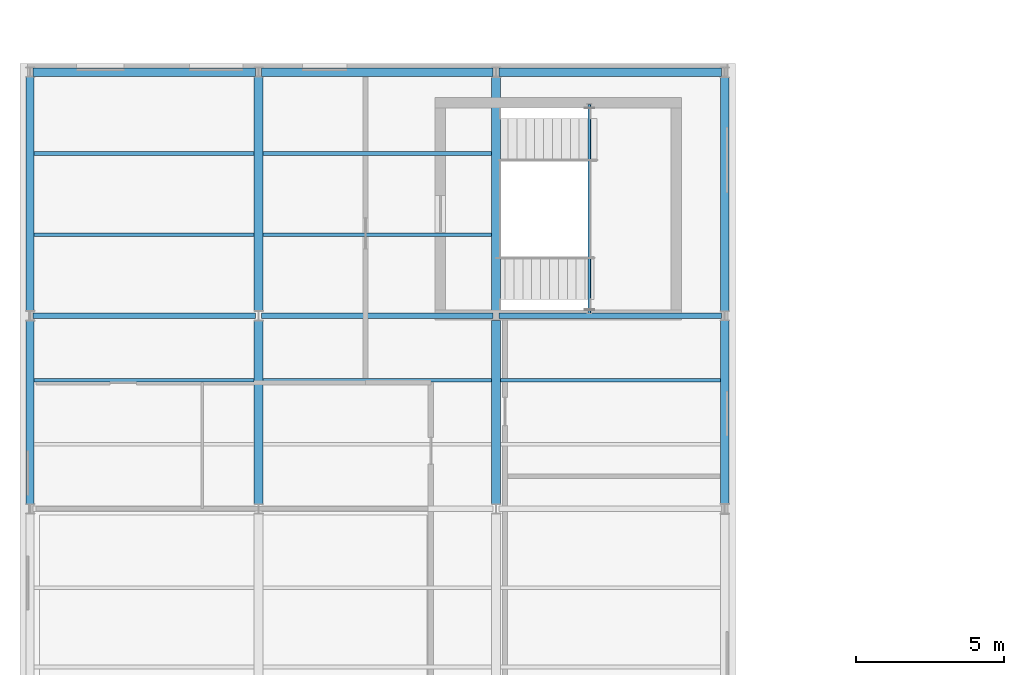
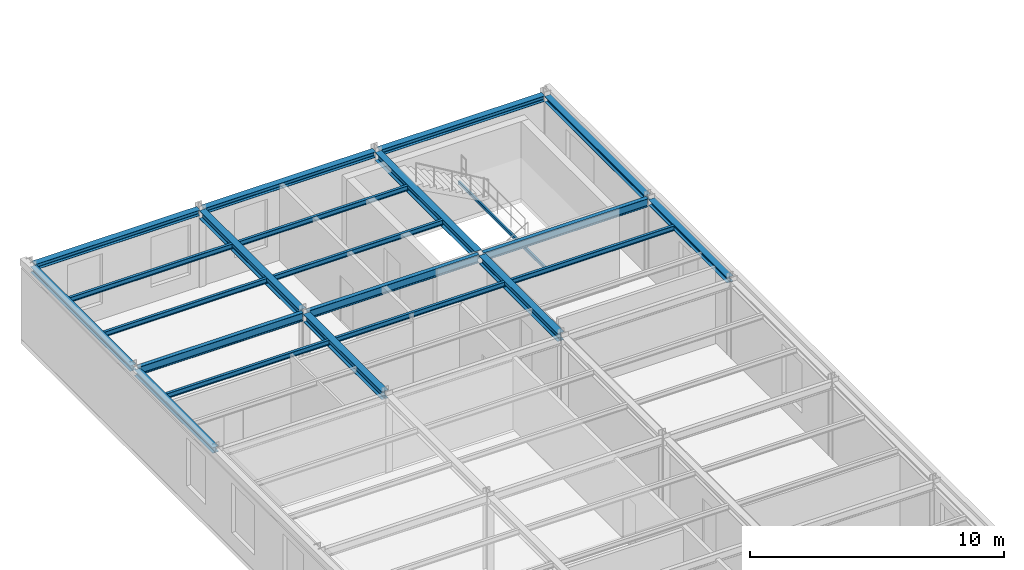
# One storey, part 15 of 41: 21 beams, 1 member.
"""IFC4 building model written with IfcOpenShell, lengths in metres."""

import ifcopenshell
import ifcopenshell.guid

model = None  # the IFC model being written
_history = None  # IfcOwnerHistory: only IFC2X3 demands one
_inside = {}  # id of a spatial element -> (the spatial element, [elements in it])
_under = {}  # id of a project, library or spatial element -> (it, [spatial elements below it])
_declared = {}  # id of a project -> (the project, [libraries it declares])
_typed = {}  # id of a type object -> (the type object, [elements of that type])
_made_of = {}  # id of a material, layer set ... -> (it, [elements and type objects made of it])


def new_model(schema):
    """Start an empty IFC model of exactly this schema.

    Asked for "IFC4X3", IfcOpenShell would pick the latest addendum, in which some entities
    have other attributes; the version numbers below select the first issue.
    IFC2X3 requires an IfcOwnerHistory on every rooted entity: one is made here for all.
    """
    global model, _history
    if schema == "IFC4X3":
        model = ifcopenshell.file(schema_version=(4, 3, 0, 0))
    else:
        model = ifcopenshell.file(schema=schema)
    _inside.clear()
    _under.clear()
    _declared.clear()
    _typed.clear()
    _made_of.clear()
    _history = None
    if model.schema == "IFC2X3":
        org = make("IfcOrganization", Name="unknown")
        user = make(
            "IfcPersonAndOrganization",
            ThePerson=make("IfcPerson", FamilyName="unknown"),
            TheOrganization=org,
        )
        app = make(
            "IfcApplication",
            ApplicationDeveloper=org,
            Version="unknown",
            ApplicationFullName="unknown",
            ApplicationIdentifier="unknown",
        )
        _history = make(
            "IfcOwnerHistory",
            OwningUser=user,
            OwningApplication=app,
            ChangeAction="ADDED",
            CreationDate=0,
        )
    return model


def make(cls, **values):
    """One entity of the class cls with the attributes given. An attribute that is None is left unset."""
    return model.create_entity(
        cls, **{name: value for name, value in values.items() if value is not None}
    )


def rooted(cls, **values):
    """An entity with a GlobalId (a new one), such as an element, a storey or a relation."""
    return make(cls, GlobalId=ifcopenshell.guid.new(), OwnerHistory=_history, **values)


def si_unit(unit_type, name, prefix=None):
    """IfcSIUnit, for example si_unit("LENGTHUNIT", "METRE", prefix="MILLI")."""
    return make("IfcSIUnit", UnitType=unit_type, Prefix=prefix, Name=name)


def assignment(units):
    """IfcUnitAssignment: the units of a project."""
    return None if units is None else make("IfcUnitAssignment", Units=units)


def point(xyz):
    """IfcCartesianPoint."""
    return None if xyz is None else make("IfcCartesianPoint", Coordinates=xyz)


def direction(xyz):
    """IfcDirection."""
    return None if xyz is None else make("IfcDirection", DirectionRatios=xyz)


def frame(location, z_axis=None, x_axis=None):
    """IfcAxis2Placement3D, a coordinate frame: its origin and axes. An axis left out is left unset."""
    return make(
        "IfcAxis2Placement3D",
        Location=point(location),
        Axis=direction(z_axis),
        RefDirection=direction(x_axis),
    )


def frame_2d(location, x_axis=None):
    """IfcAxis2Placement2D, a coordinate frame in the plane: its origin and x axis."""
    return make(
        "IfcAxis2Placement2D", Location=point(location), RefDirection=direction(x_axis)
    )


def origin():
    """The frame at (0, 0, 0) with its axes left unset."""
    return frame((0.0, 0.0, 0.0))


def origin_2d():
    """The frame at (0, 0) in the plane with its x axis left unset."""
    return frame_2d((0.0, 0.0))


def place(relative_to, where):
    """IfcLocalPlacement: puts the frame where relative to a parent placement (None: the world)."""
    return make(
        "IfcLocalPlacement", PlacementRelTo=relative_to, RelativePlacement=where
    )


def context(
    kind, dimensions, precision=None, world=None, true_north=None, identifier=None
):
    """IfcGeometricRepresentationContext, for example the 3D "Model" context."""
    return make(
        "IfcGeometricRepresentationContext",
        ContextIdentifier=identifier,
        ContextType=kind,
        CoordinateSpaceDimension=dimensions,
        Precision=precision,
        WorldCoordinateSystem=world,
        TrueNorth=true_north,
    )


def subcontext(parent, identifier, kind, view, scale=None):
    """IfcGeometricRepresentationSubContext, for example "Body" below "Model"."""
    return make(
        "IfcGeometricRepresentationSubContext",
        ContextIdentifier=identifier,
        ContextType=kind,
        ParentContext=parent,
        TargetScale=scale,
        TargetView=view,
    )


def project(units=None, contexts=None):
    """IfcProject with its units and contexts."""
    return rooted(
        "IfcProject",
        Name="project",
        RepresentationContexts=contexts,
        UnitsInContext=assignment(units),
    )


def spatial(cls, under=None, at=None, **own):
    """A site, building, storey or space (cls), placed at a placement, below another one or the project."""
    s = rooted(cls, ObjectPlacement=at, **own)
    if under is not None:
        _under.setdefault(under.id(), (under, []))[1].append(s)
    return s


def profile(cls, at=None, kind="AREA", **sizes):
    """A parametric profile (cls). Its sizes go by their IFC names, for example OverallWidth=200.0."""
    return make(cls, ProfileType=kind, Position=at, **sizes)


def hollow_rectangle(**sizes):
    """IfcRectangleHollowProfileDef."""
    return profile("IfcRectangleHollowProfileDef", **sizes)


def i_section(**sizes):
    """IfcIShapeProfileDef."""
    return profile("IfcIShapeProfileDef", **sizes)


def extrude(swept, where, along, depth):
    """IfcExtrudedAreaSolid: the profile swept, set in the frame where, extruded along a direction by depth."""
    return make(
        "IfcExtrudedAreaSolid",
        SweptArea=swept,
        Position=where,
        ExtrudedDirection=direction(along),
        Depth=depth,
    )


def shape(context_of_items, identifier, shape_type, items):
    """IfcShapeRepresentation: the items that make up one representation, for example the "Body"."""
    return make(
        "IfcShapeRepresentation",
        ContextOfItems=context_of_items,
        RepresentationIdentifier=identifier,
        RepresentationType=shape_type,
        Items=items,
    )


def material(Name=None, Category=None):
    """IfcMaterial."""
    return make("IfcMaterial", Name=Name, Category=Category)


def material_profile(
    of_material, cross_section, Name=None, Category=None, Priority=None
):
    """IfcMaterialProfile: a cross section and its material."""
    return make(
        "IfcMaterialProfile",
        Name=Name,
        Material=of_material,
        Profile=cross_section,
        Priority=Priority,
        Category=Category,
    )


def profile_set(profiles, Name=None, composite=None):
    """IfcMaterialProfileSet."""
    return make(
        "IfcMaterialProfileSet",
        Name=Name,
        MaterialProfiles=profiles,
        CompositeProfile=composite,
    )


def made_of(thing, what):
    """Note that an element or type object is made of a material, layer set ...; save() writes the relation."""
    if what is not None:
        _made_of.setdefault(what.id(), (what, []))[1].append(thing)
    return thing


def type_object(cls, material=None, **own):
    """A type object (cls), such as IfcWallType, which elements share."""
    return made_of(rooted(cls, **own), material)


def element(
    cls,
    number,
    at=None,
    inside=None,
    cuts=None,
    type_object=None,
    material=None,
    context=None,
    identifier="Body",
    shape_type=None,
    held_by="IfcProductDefinitionShape",
    body=None,
    shapes=None,
    **own,
):
    """One element of the class cls, such as IfcWall. Its Tag is "e" and its number.

    at: its placement. inside: the storey or other place that contains it. cuts: it is an
    opening in that element (IfcRelVoidsElement). A single representation is given by context,
    identifier, shape_type and body (its items); several are given by shapes. held_by: the class
    of the entity that holds the representations. save() writes the other relations.
    """
    e = rooted(cls, Tag="e%d" % number, ObjectPlacement=at, **own)
    if body is not None:
        shapes = [shape(context, identifier, shape_type, body)]
    if shapes is not None:
        e.Representation = make(held_by, Representations=shapes)
    if inside is not None:
        _inside.setdefault(inside.id(), (inside, []))[1].append(e)
    if cuts is not None:
        rooted(
            "IfcRelVoidsElement", RelatingBuildingElement=cuts, RelatedOpeningElement=e
        )
    if type_object is not None:
        _typed.setdefault(type_object.id(), (type_object, []))[1].append(e)
    return made_of(e, material)


def aggregate(whole, parts):
    """IfcRelAggregates: a whole, such as a stair, and the parts it consists of."""
    return rooted("IfcRelAggregates", RelatingObject=whole, RelatedObjects=parts)


def save(model, path):
    """Write the relations noted so far, then the file.

    IfcRelAggregates (storeys below a building ...), IfcRelContainedInSpatialStructure (elements
    in a storey), IfcRelDefinesByType, IfcRelAssociatesMaterial and IfcRelDeclares: one each for
    every whole, place, type object, material and project.
    """
    for whole, parts in _under.values():
        aggregate(whole, parts)
    for where, things in _inside.values():
        rooted(
            "IfcRelContainedInSpatialStructure",
            RelatedElements=things,
            RelatingStructure=where,
        )
    for kind, things in _typed.values():
        rooted("IfcRelDefinesByType", RelatedObjects=things, RelatingType=kind)
    for what, things in _made_of.values():
        rooted("IfcRelAssociatesMaterial", RelatedObjects=things, RelatingMaterial=what)
    for by, libraries in _declared.values():
        rooted("IfcRelDeclares", RelatingContext=by, RelatedDefinitions=libraries)
    model.write(path)


model = new_model("IFC4")

# Units and contexts
model_context = context("Model", 3, precision=1e-05, world=origin(), true_north=direction((0.0, 1.0)))
body_context = subcontext(model_context, "Body", "Model", "MODEL_VIEW")
ifc_project = project(units=[si_unit("LENGTHUNIT", "METRE"), si_unit("AREAUNIT", "SQUARE_METRE"), si_unit("VOLUMEUNIT", "CUBIC_METRE"), si_unit("PLANEANGLEUNIT", "RADIAN"), si_unit("MASSUNIT", "GRAM", prefix="KILO"), si_unit("THERMODYNAMICTEMPERATUREUNIT", "KELVIN"), si_unit("POWERUNIT", "WATT")], contexts=[model_context])

# Site, building, storey
site_placement = place(None, origin())
site = spatial("IfcSite", under=ifc_project, at=site_placement, CompositionType="ELEMENT")
building_placement = place(site_placement, origin())
building = spatial("IfcBuilding", under=site, at=building_placement, Name="Solvatero Civic Police Headquarters", CompositionType="ELEMENT")
storey_placement = place(building_placement, frame((0.0, 0.0, 17.699951171875)))
storey = spatial("IfcBuildingStorey", under=building, at=storey_placement, Name="L04", CompositionType="ELEMENT", Elevation=17.699951171875)

# Beams
ifc_material = material(Name="Steel S355", Category="steel")
ifc_material_profile_1 = material_profile(ifc_material, i_section(OverallWidth=0.280029296875, OverallDepth=0.27001953125, WebThickness=0.008056640625, FlangeThickness=0.012939453125, FilletRadius=0.02392578125, at=origin_2d()), Name="HEA 280")
ifc_profile_set_1 = profile_set([ifc_material_profile_1], Name="Steel S355")
beam_type_1 = type_object("IfcBeamType", Name="BM-ST-HEA280", PredefinedType="SPANDREL", material=ifc_profile_set_1)
beam_1_placement = place(storey_placement, frame((4.89990234375, 83.199951171875, 3.56494140625), z_axis=(1.0, 0.0, 0.0), x_axis=(0.0, 1.0, 0.0)))
element("IfcBeam", 1, at=beam_1_placement, inside=storey, type_object=beam_type_1, Name="Perimeter / radial spandrel beam BM-R2-L04-V6-GX-1-6", PredefinedType="SPANDREL", context=body_context, shape_type="SweptSolid", body=[
    extrude(i_section(OverallWidth=0.280029296875, OverallDepth=0.27001953125, WebThickness=0.008056640625, FlangeThickness=0.012939453125, FilletRadius=0.02392578125, at=origin_2d()), origin(), (0.0, 0.0, 1.0), 7.5),
])
beam_2_placement = place(storey_placement, frame((12.60009765625, 83.199951171875, 3.56494140625), z_axis=(1.0, 0.0, 0.0), x_axis=(0.0, 1.0, 0.0)))
element("IfcBeam", 2, at=beam_2_placement, inside=storey, type_object=beam_type_1, Name="Perimeter / radial spandrel beam BM-R2-L04-V6-GX-2-6", PredefinedType="SPANDREL", context=body_context, shape_type="SweptSolid", body=[
    extrude(i_section(OverallWidth=0.280029296875, OverallDepth=0.27001953125, WebThickness=0.008056640625, FlangeThickness=0.012939453125, FilletRadius=0.02392578125, at=origin_2d()), origin(), (0.0, 0.0, 1.0), 7.7998046875),
])
beam_3_placement = place(storey_placement, frame((20.60009765625, 83.199951171875, 3.56494140625), z_axis=(1.0, 0.0, 0.0), x_axis=(0.0, 1.0, 0.0)))
element("IfcBeam", 3, at=beam_3_placement, inside=storey, type_object=beam_type_1, Name="Perimeter / radial spandrel beam BM-R2-L04-V6-GX-3-6", PredefinedType="SPANDREL", context=body_context, shape_type="SweptSolid", body=[
    extrude(i_section(OverallWidth=0.280029296875, OverallDepth=0.27001953125, WebThickness=0.008056640625, FlangeThickness=0.012939453125, FilletRadius=0.02392578125, at=origin_2d()), origin(), (0.0, 0.0, 1.0), 7.5),
])
beam_4_placement = place(storey_placement, frame((4.800048828125, 68.659912109375, 3.56494140625), z_axis=(0.0, 1.0, 0.0), x_axis=(-1.0, 0.0, 0.0)))
element("IfcBeam", 4, at=beam_4_placement, inside=storey, type_object=beam_type_1, Name="Perimeter / radial spandrel beam BM-R2-L04-V6-GY-1-4", PredefinedType="SPANDREL", context=body_context, shape_type="SweptSolid", body=[
    extrude(i_section(OverallWidth=0.280029296875, OverallDepth=0.27001953125, WebThickness=0.008056640625, FlangeThickness=0.012939453125, FilletRadius=0.02392578125, at=origin_2d()), origin(), (0.0, 0.0, 1.0), 6.18017578125),
])
beam_5_placement = place(storey_placement, frame((4.800048828125, 75.159912109375, 3.56494140625), z_axis=(0.0, 1.0, 0.0), x_axis=(-1.0, 0.0, 0.0)))
element("IfcBeam", 5, at=beam_5_placement, inside=storey, type_object=beam_type_1, Name="Perimeter / radial spandrel beam BM-R2-L04-V6-GY-1-5", PredefinedType="SPANDREL", context=body_context, shape_type="SweptSolid", body=[
    extrude(i_section(OverallWidth=0.280029296875, OverallDepth=0.27001953125, WebThickness=0.008056640625, FlangeThickness=0.012939453125, FilletRadius=0.02392578125, at=origin_2d()), origin(), (0.0, 0.0, 1.0), 7.880126953125),
])
beam_6_placement = place(storey_placement, frame((28.199951171875, 68.659912109375, 3.56494140625), z_axis=(0.0, 1.0, 0.0), x_axis=(-1.0, 0.0, 0.0)))
element("IfcBeam", 6, at=beam_6_placement, inside=storey, type_object=beam_type_1, Name="Perimeter / radial spandrel beam BM-R2-L04-V6-GY-4-4", PredefinedType="SPANDREL", context=body_context, shape_type="SweptSolid", body=[
    extrude(i_section(OverallWidth=0.280029296875, OverallDepth=0.27001953125, WebThickness=0.008056640625, FlangeThickness=0.012939453125, FilletRadius=0.02392578125, at=origin_2d()), origin(), (0.0, 0.0, 1.0), 6.18017578125),
])
beam_7_placement = place(storey_placement, frame((28.199951171875, 75.159912109375, 3.56494140625), z_axis=(0.0, 1.0, 0.0), x_axis=(-1.0, 0.0, 0.0)))
element("IfcBeam", 7, at=beam_7_placement, inside=storey, type_object=beam_type_1, Name="Perimeter / radial spandrel beam BM-R2-L04-V6-GY-4-5", PredefinedType="SPANDREL", context=body_context, shape_type="SweptSolid", body=[
    extrude(i_section(OverallWidth=0.280029296875, OverallDepth=0.27001953125, WebThickness=0.008056640625, FlangeThickness=0.012939453125, FilletRadius=0.02392578125, at=origin_2d()), origin(), (0.0, 0.0, 1.0), 7.880126953125),
])
ifc_material_profile_2 = material_profile(ifc_material, i_section(OverallWidth=0.300048828125, OverallDepth=0.389892578125, WebThickness=0.010986328125, FlangeThickness=0.01904296875, FilletRadius=0.027099609375, at=origin_2d()), Name="HEA 400")
ifc_profile_set_2 = profile_set([ifc_material_profile_2], Name="Steel S355")
beam_type_2 = type_object("IfcBeamType", Name="BM-ST-HEA400", PredefinedType="BEAM", material=ifc_profile_set_2)
beam_8_placement = place(storey_placement, frame((12.5, 68.659912109375, 3.505126953125), z_axis=(0.0, 1.0, 0.0), x_axis=(-1.0, 0.0, 0.0)))
element("IfcBeam", 8, at=beam_8_placement, inside=storey, type_object=beam_type_2, Name="Primary girder BM-R2-L04-V6-GY-2-4", PredefinedType="BEAM", context=body_context, shape_type="SweptSolid", body=[
    extrude(i_section(OverallWidth=0.300048828125, OverallDepth=0.389892578125, WebThickness=0.010986328125, FlangeThickness=0.01904296875, FilletRadius=0.027099609375, at=origin_2d()), origin(), (0.0, 0.0, 1.0), 6.18017578125),
])
beam_9_placement = place(storey_placement, frame((12.5, 75.159912109375, 3.505126953125), z_axis=(0.0, 1.0, 0.0), x_axis=(-1.0, 0.0, 0.0)))
element("IfcBeam", 9, at=beam_9_placement, inside=storey, type_object=beam_type_2, Name="Primary girder BM-R2-L04-V6-GY-2-5", PredefinedType="BEAM", context=body_context, shape_type="SweptSolid", body=[
    extrude(i_section(OverallWidth=0.300048828125, OverallDepth=0.389892578125, WebThickness=0.010986328125, FlangeThickness=0.01904296875, FilletRadius=0.027099609375, at=origin_2d()), origin(), (0.0, 0.0, 1.0), 7.880126953125),
])
beam_10_placement = place(storey_placement, frame((20.5, 68.659912109375, 3.505126953125), z_axis=(0.0, 1.0, 0.0), x_axis=(-1.0, 0.0, 0.0)))
element("IfcBeam", 10, at=beam_10_placement, inside=storey, type_object=beam_type_2, Name="Primary girder BM-R2-L04-V6-GY-3-4", PredefinedType="BEAM", context=body_context, shape_type="SweptSolid", body=[
    extrude(i_section(OverallWidth=0.300048828125, OverallDepth=0.389892578125, WebThickness=0.010986328125, FlangeThickness=0.01904296875, FilletRadius=0.027099609375, at=origin_2d()), origin(), (0.0, 0.0, 1.0), 6.18017578125),
])
beam_11_placement = place(storey_placement, frame((20.5, 75.159912109375, 3.505126953125), z_axis=(0.0, 1.0, 0.0), x_axis=(-1.0, 0.0, 0.0)))
element("IfcBeam", 11, at=beam_11_placement, inside=storey, type_object=beam_type_2, Name="Primary girder BM-R2-L04-V6-GY-3-5", PredefinedType="BEAM", context=body_context, shape_type="SweptSolid", body=[
    extrude(i_section(OverallWidth=0.300048828125, OverallDepth=0.389892578125, WebThickness=0.010986328125, FlangeThickness=0.01904296875, FilletRadius=0.027099609375, at=origin_2d()), origin(), (0.0, 0.0, 1.0), 7.880126953125),
])
ifc_material_profile_3 = material_profile(ifc_material, i_section(OverallWidth=0.1201171875, OverallDepth=0.239990234375, WebThickness=0.006103515625, FlangeThickness=0.009765625, FilletRadius=0.014892578125, at=origin_2d()), Name="IPE 240")
ifc_profile_set_3 = profile_set([ifc_material_profile_3], Name="Steel S355")
beam_type_3 = type_object("IfcBeamType", Name="BM-ST-IPE240", PredefinedType="BEAM", material=ifc_profile_set_3)
for number, where, z_axis, x_axis, name in (
    (12, (4.93994140625, 72.833251953125, 3.580078125), (1.0, 0.0, 0.0), (0.0, 1.0, 0.0), "Composite floor beam BM-R2-L04-V6-SEC-1-4-S2"),
    (13, (4.93994140625, 77.7333984375, 3.580078125), (1.0, 0.0, 0.0), (0.0, 1.0, 0.0), "Composite floor beam BM-R2-L04-V6-SEC-1-5-S1"),
    (14, (4.93994140625, 80.466796875, 3.580078125), (1.0, 0.0, 0.0), (0.0, 1.0, 0.0), "Composite floor beam BM-R2-L04-V6-SEC-1-5-S2"),
):
    element("IfcBeam", number, at=place(storey_placement, frame(where, z_axis=z_axis, x_axis=x_axis)), inside=storey, type_object=beam_type_3, Name=name, PredefinedType="BEAM", context=body_context, shape_type="SweptSolid", body=[
        extrude(i_section(OverallWidth=0.1201171875, OverallDepth=0.239990234375, WebThickness=0.006103515625, FlangeThickness=0.009765625, FilletRadius=0.014892578125, at=origin_2d()), origin(), (0.0, 0.0, 1.0), 7.41015625),
    ])
for number, where, z_axis, x_axis, name in (
    (15, (12.64990234375, 72.833251953125, 3.580078125), (1.0, 0.0, 0.0), (0.0, 1.0, 0.0), "Composite floor beam BM-R2-L04-V6-SEC-2-4-S2"),
    (16, (12.64990234375, 77.7333984375, 3.580078125), (1.0, 0.0, 0.0), (0.0, 1.0, 0.0), "Composite floor beam BM-R2-L04-V6-SEC-2-5-S1"),
    (17, (12.64990234375, 80.466796875, 3.580078125), (1.0, 0.0, 0.0), (0.0, 1.0, 0.0), "Composite floor beam BM-R2-L04-V6-SEC-2-5-S2"),
):
    element("IfcBeam", number, at=place(storey_placement, frame(where, z_axis=z_axis, x_axis=x_axis)), inside=storey, type_object=beam_type_3, Name=name, PredefinedType="BEAM", context=body_context, shape_type="SweptSolid", body=[
        extrude(i_section(OverallWidth=0.1201171875, OverallDepth=0.239990234375, WebThickness=0.006103515625, FlangeThickness=0.009765625, FilletRadius=0.014892578125, at=origin_2d()), origin(), (0.0, 0.0, 1.0), 7.7001953125),
    ])
beam_12_placement = place(storey_placement, frame((20.64990234375, 72.833251953125, 3.580078125), z_axis=(1.0, 0.0, 0.0), x_axis=(0.0, 1.0, 0.0)))
element("IfcBeam", 18, at=beam_12_placement, inside=storey, type_object=beam_type_3, Name="Composite floor beam BM-R2-L04-V6-SEC-3-4-S2", PredefinedType="BEAM", context=body_context, shape_type="SweptSolid", body=[
    extrude(i_section(OverallWidth=0.1201171875, OverallDepth=0.239990234375, WebThickness=0.006103515625, FlangeThickness=0.009765625, FilletRadius=0.014892578125, at=origin_2d()), origin(), (0.0, 0.0, 1.0), 7.41015625),
])
ifc_material_profile_4 = material_profile(ifc_material, i_section(OverallWidth=0.179931640625, OverallDepth=0.39990234375, WebThickness=0.008544921875, FlangeThickness=0.013427734375, FilletRadius=0.02099609375, at=origin_2d()), Name="IPE 400")
ifc_profile_set_4 = profile_set([ifc_material_profile_4], Name="Steel S355")
beam_type_4 = type_object("IfcBeamType", Name="BM-ST-IPE400", PredefinedType="BEAM", material=ifc_profile_set_4)
beam_13_placement = place(storey_placement, frame((4.89990234375, 75.0, 3.5), z_axis=(1.0, 0.0, 0.0), x_axis=(0.0, 1.0, 0.0)))
element("IfcBeam", 19, at=beam_13_placement, inside=storey, type_object=beam_type_4, Name="Primary girder BM-R2-L04-V6-GX-1-5", PredefinedType="BEAM", context=body_context, shape_type="SweptSolid", body=[
    extrude(i_section(OverallWidth=0.179931640625, OverallDepth=0.39990234375, WebThickness=0.008544921875, FlangeThickness=0.013427734375, FilletRadius=0.02099609375, at=origin_2d()), origin(), (0.0, 0.0, 1.0), 7.5),
])
beam_14_placement = place(storey_placement, frame((12.60009765625, 75.0, 3.5), z_axis=(1.0, 0.0, 0.0), x_axis=(0.0, 1.0, 0.0)))
element("IfcBeam", 20, at=beam_14_placement, inside=storey, type_object=beam_type_4, Name="Primary girder BM-R2-L04-V6-GX-2-5", PredefinedType="BEAM", context=body_context, shape_type="SweptSolid", body=[
    extrude(i_section(OverallWidth=0.179931640625, OverallDepth=0.39990234375, WebThickness=0.008544921875, FlangeThickness=0.013427734375, FilletRadius=0.02099609375, at=origin_2d()), origin(), (0.0, 0.0, 1.0), 7.7998046875),
])
beam_15_placement = place(storey_placement, frame((20.60009765625, 75.0, 3.5), z_axis=(1.0, 0.0, 0.0), x_axis=(0.0, 1.0, 0.0)))
element("IfcBeam", 21, at=beam_15_placement, inside=storey, type_object=beam_type_4, Name="Primary girder BM-R2-L04-V6-GX-3-5", PredefinedType="BEAM", context=body_context, shape_type="SweptSolid", body=[
    extrude(i_section(OverallWidth=0.179931640625, OverallDepth=0.39990234375, WebThickness=0.008544921875, FlangeThickness=0.013427734375, FilletRadius=0.02099609375, at=origin_2d()), origin(), (0.0, 0.0, 1.0), 7.5),
])

# Member
ifc_material_profile_5 = material_profile(ifc_material, hollow_rectangle(XDim=0.10009765625, YDim=0.14990234375, WallThickness=0.00634765625, InnerFilletRadius=0.00634765625, OuterFilletRadius=0.0126953125, at=origin_2d()), Name="RHS 150x100x6.3")
ifc_profile_set_5 = profile_set([ifc_material_profile_5], Name="Steel S355")
member_type = type_object("IfcMemberType", Name="MB-BR-RHS150", PredefinedType="BRACE", material=ifc_profile_set_5)
member_placement = place(storey_placement, frame((23.639892578125, 75.080078125, 1.675048828125), z_axis=(0.0, 1.0, 0.0), x_axis=(-1.0, 0.0, 0.0)))
element("IfcMember", 22, at=member_placement, inside=storey, type_object=member_type, Name="ST-C4 L04 Landing Support Beam", PredefinedType="BRACE", context=body_context, shape_type="SweptSolid", body=[
    extrude(hollow_rectangle(XDim=0.10009765625, YDim=0.14990234375, WallThickness=0.00634765625, InnerFilletRadius=0.00634765625, OuterFilletRadius=0.0126953125, at=origin_2d()), origin(), (0.0, 0.0, 1.0), 7.0400390625),
])

save(model, "model.ifc")
